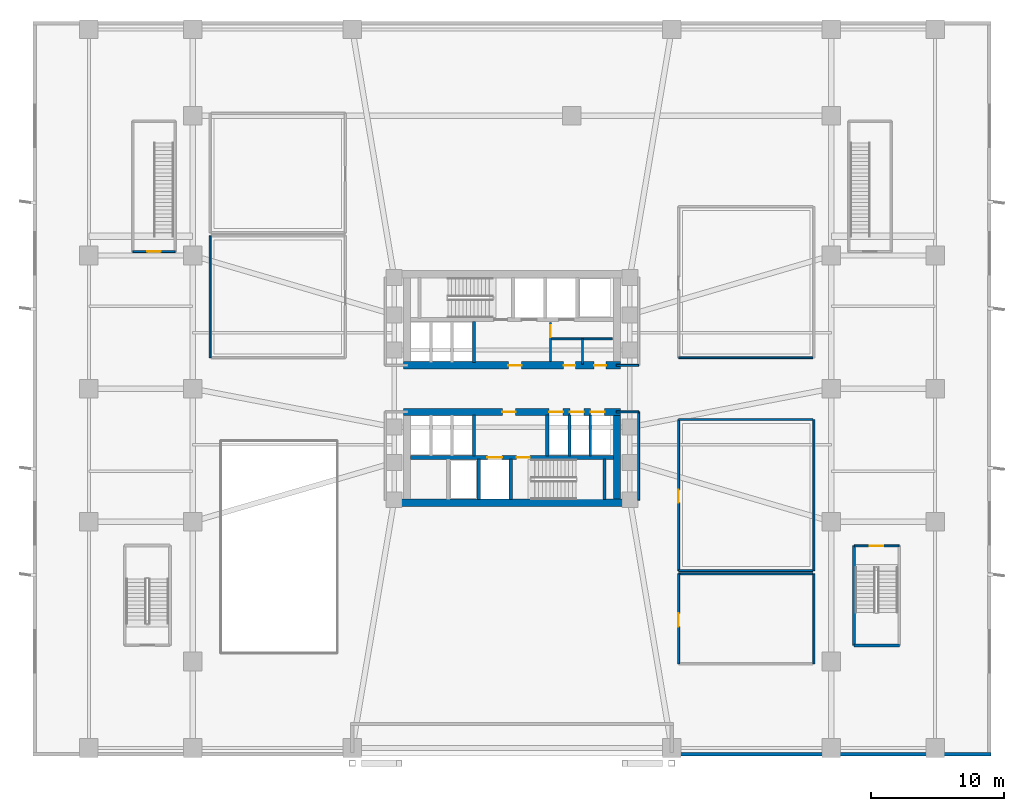
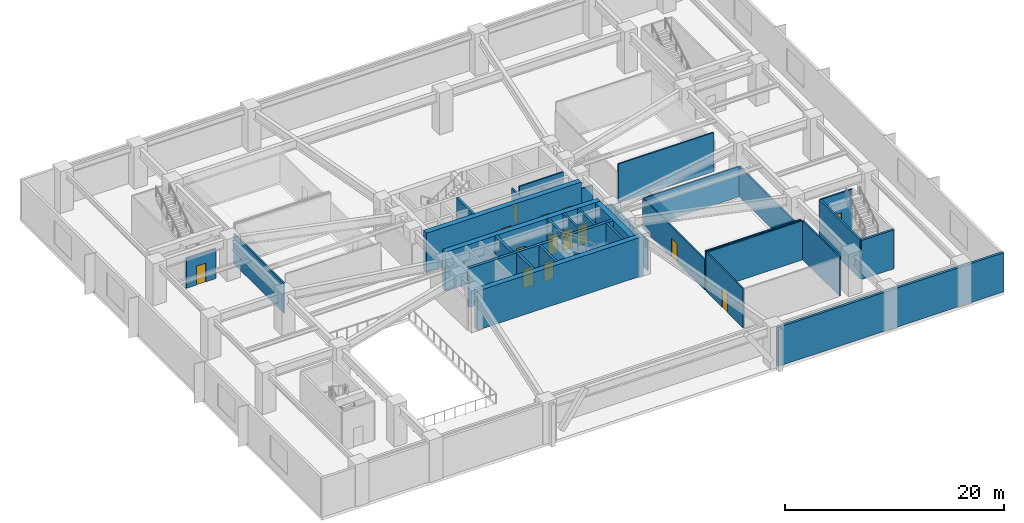
# One storey, part 5 of 12: 33 walls, 14 doors, 14 openings.
"""IFC4 building model written with IfcOpenShell, lengths in metres."""

from ifc_helpers import new_model, si_unit, direction, frame, frame_2d, origin, place, context, subcontext, project, spatial, rectangle, extrude, material, layer, layer_set, type_object, element, fill, save


model = new_model("IFC4")

# Units and contexts
model_context = context("Model", 3, precision=1e-05, world=origin(), true_north=direction((0.0, 1.0)))
body_context = subcontext(model_context, "Body", "Model", "MODEL_VIEW")
ifc_project = project(units=[si_unit("LENGTHUNIT", "METRE"), si_unit("AREAUNIT", "SQUARE_METRE"), si_unit("VOLUMEUNIT", "CUBIC_METRE"), si_unit("PLANEANGLEUNIT", "RADIAN"), si_unit("MASSUNIT", "GRAM", prefix="KILO")], contexts=[model_context])

# Site, building, storey
site_placement = place(None, origin())
site = spatial("IfcSite", under=ifc_project, at=site_placement, CompositionType="ELEMENT")
building_placement = place(site_placement, origin())
building = spatial("IfcBuilding", under=site, at=building_placement, Name="Solmarez Civic Tower", CompositionType="ELEMENT")
storey_placement = place(building_placement, frame((0.0, 0.0, 5.39990234375)))
storey = spatial("IfcBuildingStorey", under=building, at=storey_placement, Name="L01", CompositionType="ELEMENT", Elevation=5.39990234375)

# Wall, openings, doors
ifc_material_1 = material(Name="Concrete C60/75", Category="concrete")
ifc_layer_1 = layer(ifc_material_1, 0.550048828125)
ifc_layer_set_1 = layer_set([ifc_layer_1], Name="Concrete C60/75")
wall_type_1 = type_object("IfcWallType", Name="WALL-CORE-550", PredefinedType="SHEAR", material=ifc_layer_set_1)
wall_1_placement = place(storey_placement, frame((8.169921875, 1.75, 0.0), z_axis=(0.0, 0.0, 1.0), x_axis=(-1.0, 0.0, 0.0)))
wall_1 = element("IfcWall", 1, at=wall_1_placement, inside=storey, type_object=wall_type_1, Name="L01 Split-Core Structural Wall NCW-S-L01", PredefinedType="SHEAR", context=body_context, shape_type="SweptSolid", body=[
    extrude(rectangle(XDim=16.33984375, YDim=0.550048828125, at=frame_2d((8.169921875, 0.0))), origin(), (0.0, 0.0, 1.0), 4.360107421875),
])
opening_1_placement = place(wall_1_placement, frame((7.449951171875, 0.0, 0.0)))
opening_1 = element("IfcOpeningElement", 2, at=opening_1_placement, cuts=wall_1, Name="Opening D-04", PredefinedType="OPENING", context=body_context, shape_type="SweptSolid", body=[
    extrude(rectangle(XDim=1.0, YDim=2.10009765625, at=frame_2d((0.5, 1.050048828125))), frame((0.0, 0.284912109375, 0.0), z_axis=(0.0, -1.0, 0.0), x_axis=(1.0, 0.0, 0.0)), (0.0, 0.0, 1.0), 0.570068359375),
])
opening_2_placement = place(wall_1_placement, frame((3.39990234375, 0.0, 0.0)))
opening_2 = element("IfcOpeningElement", 3, at=opening_2_placement, cuts=wall_1, Name="Opening D-09", PredefinedType="OPENING", context=body_context, shape_type="SweptSolid", body=[
    extrude(rectangle(XDim=0.89990234375, YDim=2.06005859375, at=frame_2d((0.449951171875, 1.030029296875))), frame((0.0, 0.284912109375, 0.0), z_axis=(0.0, -1.0, 0.0), x_axis=(1.0, 0.0, 0.0)), (0.0, 0.0, 1.0), 0.570068359375),
])
opening_3_placement = place(wall_1_placement, frame((1.10009765625, 0.0, 0.0)))
opening_3 = element("IfcOpeningElement", 4, at=opening_3_placement, cuts=wall_1, Name="Opening D-09", PredefinedType="OPENING", context=body_context, shape_type="SweptSolid", body=[
    extrude(rectangle(XDim=0.89990234375, YDim=2.06005859375, at=frame_2d((0.449951171875, 1.030029296875))), frame((0.0, 0.284912109375, 0.0), z_axis=(0.0, -1.0, 0.0), x_axis=(1.0, 0.0, 0.0)), (0.0, 0.0, 1.0), 0.570068359375),
])
ifc_material_2 = material(Name="Steel-Faced Acoustic Fire Door", Category="steel")
door_type_1 = type_object("IfcDoorType", Name="DOOR-FD60-1000", OperationType="NOTDEFINED", PredefinedType="DOOR", material=ifc_material_2)
door_1_placement = place(opening_1_placement, origin())
door_1 = element("IfcDoor", 5, at=door_1_placement, inside=storey, type_object=door_type_1, Name="L01 North Firefighting Lobby Door", OperationType="SINGLE_SWING_RIGHT", OverallHeight=2.10009765625, OverallWidth=1.0, PredefinedType="DOOR", context=body_context, shape_type="SweptSolid", body=[
    extrude(rectangle(XDim=1.0, YDim=2.10009765625, at=frame_2d((0.5, 1.050048828125))), frame((0.0, 0.02490234375, 0.0), z_axis=(0.0, -1.0, 0.0), x_axis=(1.0, 0.0, 0.0)), (0.0, 0.0, 1.0), 0.050048828125),
])
fill(opening_1, door_1)
ifc_material_3 = material(Name="Fire-Rated Service Core Door", Category="wood")
door_type_2 = type_object("IfcDoorType", Name="DOOR-FD60-900", OperationType="NOTDEFINED", PredefinedType="DOOR", material=ifc_material_3)
door_2_placement = place(opening_2_placement, origin())
door_2 = element("IfcDoor", 6, at=door_2_placement, inside=storey, type_object=door_type_2, Name="L01 Core WC Door", OperationType="SINGLE_SWING_LEFT", OverallHeight=2.06005859375, OverallWidth=0.89990234375, PredefinedType="DOOR", context=body_context, shape_type="SweptSolid", body=[
    extrude(rectangle(XDim=0.89990234375, YDim=2.06005859375, at=frame_2d((0.449951171875, 1.030029296875))), frame((0.0, 0.02490234375, 0.0), z_axis=(0.0, -1.0, 0.0), x_axis=(1.0, 0.0, 0.0)), (0.0, 0.0, 1.0), 0.050048828125),
])
fill(opening_2, door_2)
door_3_placement = place(opening_3_placement, origin())
door_3 = element("IfcDoor", 7, at=door_3_placement, inside=storey, type_object=door_type_2, Name="L01 Core CL Door", OperationType="SINGLE_SWING_RIGHT", OverallHeight=2.06005859375, OverallWidth=0.89990234375, PredefinedType="DOOR", context=body_context, shape_type="SweptSolid", body=[
    extrude(rectangle(XDim=0.89990234375, YDim=2.06005859375, at=frame_2d((0.449951171875, 1.030029296875))), frame((0.0, 0.02490234375, 0.0), z_axis=(0.0, -1.0, 0.0), x_axis=(1.0, 0.0, 0.0)), (0.0, 0.0, 1.0), 0.050048828125),
])
fill(opening_3, door_3)

# Wall
wall_2_placement = place(storey_placement, frame((8.780029296875, -8.5849609375, 0.0), z_axis=(0.0, 0.0, 1.0), x_axis=(-1.0, 0.0, 0.0)))
element("IfcWall", 8, at=wall_2_placement, inside=storey, type_object=wall_type_1, Name="L01 Split-Core Structural Wall SCW-S-L01", PredefinedType="SHEAR", context=body_context, shape_type="SweptSolid", body=[
    extrude(rectangle(XDim=17.56005859375, YDim=0.550048828125, at=frame_2d((8.780029296875, 0.0))), origin(), (0.0, 0.0, 1.0), 4.360107421875),
])

# Wall, openings, doors
wall_3_placement = place(storey_placement, frame((-8.169921875, -1.75, 0.0), z_axis=(0.0, 0.0, 1.0), x_axis=(1.0, 0.0, 0.0)))
wall_3 = element("IfcWall", 9, at=wall_3_placement, inside=storey, type_object=wall_type_1, Name="L01 Split-Core Structural Wall SCW-N-L01", PredefinedType="SHEAR", context=body_context, shape_type="SweptSolid", body=[
    extrude(rectangle(XDim=16.33984375, YDim=0.550048828125, at=frame_2d((8.169921875, 0.0))), origin(), (0.0, 0.0, 1.0), 4.360107421875),
])
opening_4_placement = place(wall_3_placement, frame((7.449951171875, 0.0, 0.0)))
opening_4 = element("IfcOpeningElement", 10, at=opening_4_placement, cuts=wall_3, Name="Opening D-04", PredefinedType="OPENING", context=body_context, shape_type="SweptSolid", body=[
    extrude(rectangle(XDim=1.0, YDim=2.10009765625, at=frame_2d((0.5, 1.050048828125))), frame((0.0, 0.284912109375, 0.0), z_axis=(0.0, -1.0, 0.0), x_axis=(1.0, 0.0, 0.0)), (0.0, 0.0, 1.0), 0.570068359375),
])
opening_5_placement = place(wall_3_placement, frame((10.965087890625, 0.0, 0.0)))
opening_5 = element("IfcOpeningElement", 11, at=opening_5_placement, cuts=wall_3, Name="Opening LD-01", PredefinedType="OPENING", context=body_context, shape_type="SweptSolid", body=[
    extrude(rectangle(XDim=1.050048828125, YDim=2.14990234375, at=frame_2d((0.52490234375, 1.074951171875))), frame((0.0, 0.284912109375, 0.0), z_axis=(0.0, -1.0, 0.0), x_axis=(1.0, 0.0, 0.0)), (0.0, 0.0, 1.0), 0.570068359375),
])
opening_6_placement = place(wall_3_placement, frame((12.52490234375, 0.0, 0.0)))
opening_6 = element("IfcOpeningElement", 12, at=opening_6_placement, cuts=wall_3, Name="Opening LD-01", PredefinedType="OPENING", context=body_context, shape_type="SweptSolid", body=[
    extrude(rectangle(XDim=1.050048828125, YDim=2.14990234375, at=frame_2d((0.52490234375, 1.074951171875))), frame((0.0, 0.284912109375, 0.0), z_axis=(0.0, -1.0, 0.0), x_axis=(1.0, 0.0, 0.0)), (0.0, 0.0, 1.0), 0.570068359375),
])
opening_7_placement = place(wall_3_placement, frame((14.0849609375, 0.0, 0.0)))
opening_7 = element("IfcOpeningElement", 13, at=opening_7_placement, cuts=wall_3, Name="Opening LD-01", PredefinedType="OPENING", context=body_context, shape_type="SweptSolid", body=[
    extrude(rectangle(XDim=1.050048828125, YDim=2.14990234375, at=frame_2d((0.52490234375, 1.074951171875))), frame((0.0, 0.284912109375, 0.0), z_axis=(0.0, -1.0, 0.0), x_axis=(1.0, 0.0, 0.0)), (0.0, 0.0, 1.0), 0.570068359375),
])
door_4_placement = place(opening_4_placement, origin())
door_4 = element("IfcDoor", 14, at=door_4_placement, inside=storey, type_object=door_type_1, Name="L01 South Firefighting Lobby Door", OperationType="SINGLE_SWING_LEFT", OverallHeight=2.10009765625, OverallWidth=1.0, PredefinedType="DOOR", context=body_context, shape_type="SweptSolid", body=[
    extrude(rectangle(XDim=1.0, YDim=2.10009765625, at=frame_2d((0.5, 1.050048828125))), frame((0.0, 0.02490234375, 0.0), z_axis=(0.0, -1.0, 0.0), x_axis=(1.0, 0.0, 0.0)), (0.0, 0.0, 1.0), 0.050048828125),
])
fill(opening_4, door_4)
ifc_material_4 = material(Name="Bronze Passenger Lift Landing Sliding Door", Category="aluminium")
door_type_3 = type_object("IfcDoorType", Name="DOOR-LD-PAX-1050", OperationType="DOUBLE_DOOR_SLIDING", PredefinedType="DOOR", material=ifc_material_4)
door_5_placement = place(opening_5_placement, origin())
door_5 = element("IfcDoor", 15, at=door_5_placement, inside=storey, type_object=door_type_3, Name="L01 Low-Rise Lift Landing Door PL-L1", OperationType="DOUBLE_DOOR_SLIDING", OverallHeight=2.14990234375, OverallWidth=1.050048828125, PredefinedType="DOOR", context=body_context, shape_type="SweptSolid", body=[
    extrude(rectangle(XDim=1.050048828125, YDim=2.14990234375, at=frame_2d((0.52490234375, 1.074951171875))), frame((0.0, 0.02490234375, 0.0), z_axis=(0.0, -1.0, 0.0), x_axis=(1.0, 0.0, 0.0)), (0.0, 0.0, 1.0), 0.050048828125),
])
fill(opening_5, door_5)
door_6_placement = place(opening_6_placement, origin())
door_6 = element("IfcDoor", 16, at=door_6_placement, inside=storey, type_object=door_type_3, Name="L01 Low-Rise Lift Landing Door PL-L2", OperationType="DOUBLE_DOOR_SLIDING", OverallHeight=2.14990234375, OverallWidth=1.050048828125, PredefinedType="DOOR", context=body_context, shape_type="SweptSolid", body=[
    extrude(rectangle(XDim=1.050048828125, YDim=2.14990234375, at=frame_2d((0.52490234375, 1.074951171875))), frame((0.0, 0.02490234375, 0.0), z_axis=(0.0, -1.0, 0.0), x_axis=(1.0, 0.0, 0.0)), (0.0, 0.0, 1.0), 0.050048828125),
])
fill(opening_6, door_6)
door_7_placement = place(opening_7_placement, origin())
door_7 = element("IfcDoor", 17, at=door_7_placement, inside=storey, type_object=door_type_3, Name="L01 Low-Rise Lift Landing Door PL-L3", OperationType="DOUBLE_DOOR_SLIDING", OverallHeight=2.14990234375, OverallWidth=1.050048828125, PredefinedType="DOOR", context=body_context, shape_type="SweptSolid", body=[
    extrude(rectangle(XDim=1.050048828125, YDim=2.14990234375, at=frame_2d((0.52490234375, 1.074951171875))), frame((0.0, 0.02490234375, 0.0), z_axis=(0.0, -1.0, 0.0), x_axis=(1.0, 0.0, 0.0)), (0.0, 0.0, 1.0), 0.050048828125),
])
fill(opening_7, door_7)

# Walls
wall_4_placement = place(storey_placement, frame((7.89501953125, -2.02490234375, 0.0), z_axis=(0.0, 0.0, 1.0), x_axis=(0.0, -1.0, 0.0)))
element("IfcWall", 18, at=wall_4_placement, inside=storey, type_object=wall_type_1, Name="L01 Split-Core Structural Wall SCW-E-L01", PredefinedType="SHEAR", context=body_context, shape_type="SweptSolid", body=[
    extrude(rectangle(XDim=6.28515625, YDim=0.550048828125, at=frame_2d((3.142578125, 0.0))), origin(), (0.0, 0.0, 1.0), 4.360107421875),
])
ifc_material_5 = material(Name="Precast concrete C40/50", Category="concrete")
ifc_layer_2 = layer(ifc_material_5, 0.260009765625)
ifc_layer_set_2 = layer_set([ifc_layer_2], Name="Precast concrete C40/50")
wall_type_2 = type_object("IfcWallType", Name="WALL-EXT-260", PredefinedType="SOLIDWALL", material=ifc_layer_set_2)
wall_5_placement = place(storey_placement, frame((36.0, -27.469970703125, 0.0), z_axis=(0.0, 0.0, 1.0), x_axis=(-1.0, 0.0, 0.0)))
element("IfcWall", 19, at=wall_5_placement, inside=storey, type_object=wall_type_2, Name="L01 South Arch Podium Wall EW-SE-L01", PredefinedType="SOLIDWALL", context=body_context, shape_type="SweptSolid", body=[
    extrude(rectangle(XDim=23.8701171875, YDim=0.260009765625, at=frame_2d((11.93505859375, 0.0))), origin(), (0.0, 0.0, 1.0), 4.360107421875),
])

# Wall, opening, door
ifc_material_6 = material(Name="Gypsum Board Acoustic Steel-Stud Partition", Category="steel")
ifc_layer_3 = layer(ifc_material_6, 0.14990234375)
ifc_layer_set_3 = layer_set([ifc_layer_3], Name="Gypsum Board Acoustic Steel-Stud Partition")
wall_type_3 = type_object("IfcWallType", Name="WALL-INT-FIRE-150", PredefinedType="PARTITIONING", material=ifc_layer_set_3)
wall_6_placement = place(storey_placement, frame((29.080078125, -11.820068359375, 0.0), z_axis=(0.0, 0.0, 1.0), x_axis=(-1.0, 0.0, 0.0)))
wall_6 = element("IfcWall", 20, at=wall_6_placement, inside=storey, type_object=wall_type_3, Name="L01 Podium Exit Stair STP2 Wall", PredefinedType="PARTITIONING", context=body_context, shape_type="SweptSolid", body=[
    extrude(rectangle(XDim=3.360107421875, YDim=0.14990234375, at=frame_2d((1.68017578125, 0.0))), origin(), (0.0, 0.0, 1.0), 4.360107421875),
])
opening_8_placement = place(wall_6_placement, frame((1.179931640625, 0.0, 0.0)))
opening_8 = element("IfcOpeningElement", 21, at=opening_8_placement, cuts=wall_6, Name="Opening D-05", PredefinedType="OPENING", context=body_context, shape_type="SweptSolid", body=[
    extrude(rectangle(XDim=1.0, YDim=2.10009765625, at=frame_2d((0.5, 1.050048828125))), frame((0.0, 0.0849609375, 0.0), z_axis=(0.0, -1.0, 0.0), x_axis=(1.0, 0.0, 0.0)), (0.0, 0.0, 1.0), 0.169921875),
])
ifc_material_7 = material(Name="Fire-Rated Stairwell Exit Door", Category="wood")
door_type_4 = type_object("IfcDoorType", Name="DOOR-FD90-1000", OperationType="NOTDEFINED", PredefinedType="DOOR", material=ifc_material_7)
door_8_placement = place(opening_8_placement, origin())
door_8 = element("IfcDoor", 22, at=door_8_placement, inside=storey, type_object=door_type_4, Name="L01 Podium Exit Stair STP2 Door", OperationType="SINGLE_SWING_LEFT", OverallHeight=2.10009765625, OverallWidth=1.0, PredefinedType="DOOR", context=body_context, shape_type="SweptSolid", body=[
    extrude(rectangle(XDim=1.0, YDim=2.10009765625, at=frame_2d((0.5, 1.050048828125))), frame((0.0, 0.02490234375, 0.0), z_axis=(0.0, -1.0, 0.0), x_axis=(1.0, 0.0, 0.0)), (0.0, 0.0, 1.0), 0.050048828125),
])
fill(opening_8, door_8)

wall_7_placement = place(storey_placement, frame((-28.47998046875, 10.300048828125, 0.0), z_axis=(0.0, 0.0, 1.0), x_axis=(1.0, 0.0, 0.0)))
wall_7 = element("IfcWall", 23, at=wall_7_placement, inside=storey, type_object=wall_type_3, Name="L01 Podium Stair P3 Shaft Wall", PredefinedType="PARTITIONING", context=body_context, shape_type="SweptSolid", body=[
    extrude(rectangle(XDim=3.159912109375, YDim=0.14990234375, at=frame_2d((1.580078125, 0.0))), origin(), (0.0, 0.0, 1.0), 3.3701171875),
])
opening_9_placement = place(wall_7_placement, frame((1.080078125, 0.0, 0.0)))
opening_9 = element("IfcOpeningElement", 24, at=opening_9_placement, cuts=wall_7, Name="Opening D-05", PredefinedType="OPENING", context=body_context, shape_type="SweptSolid", body=[
    extrude(rectangle(XDim=1.0, YDim=2.10009765625, at=frame_2d((0.5, 1.050048828125))), frame((0.0, 0.0849609375, 0.0), z_axis=(0.0, -1.0, 0.0), x_axis=(1.0, 0.0, 0.0)), (0.0, 0.0, 1.0), 0.169921875),
])
door_9_placement = place(opening_9_placement, origin())
door_9 = element("IfcDoor", 25, at=door_9_placement, inside=storey, type_object=door_type_4, Name="L01 Podium Stair P3 Entry Door", OperationType="SINGLE_SWING_RIGHT", OverallHeight=2.10009765625, OverallWidth=1.0, PredefinedType="DOOR", context=body_context, shape_type="SweptSolid", body=[
    extrude(rectangle(XDim=1.0, YDim=2.10009765625, at=frame_2d((0.5, 1.050048828125))), frame((0.0, 0.02490234375, 0.0), z_axis=(0.0, -1.0, 0.0), x_axis=(1.0, 0.0, 0.0)), (0.0, 0.0, 1.0), 0.050048828125),
])
fill(opening_9, door_9)

# Walls
wall_8_placement = place(storey_placement, frame((7.85009765625, 1.75, 0.0), z_axis=(0.0, 0.0, 1.0), x_axis=(1.0, 0.0, 0.0)))
element("IfcWall", 26, at=wall_8_placement, inside=storey, type_object=wall_type_3, Name="L01 Interior Partition CHW-L01-EN3", PredefinedType="PARTITIONING", context=body_context, shape_type="SweptSolid", body=[
    extrude(rectangle(XDim=1.669921875, YDim=0.14990234375, at=frame_2d((0.8349609375, 0.0))), origin(), (0.0, 0.0, 1.0), 3.425048828125),
])
wall_9_placement = place(storey_placement, frame((9.52001953125, -8.3798828125, 0.0), z_axis=(0.0, 0.0, 1.0), x_axis=(0.0, 1.0, 0.0)))
element("IfcWall", 27, at=wall_9_placement, inside=storey, type_object=wall_type_3, Name="L01 Interior Partition CHW-L01-ES1", PredefinedType="PARTITIONING", context=body_context, shape_type="SweptSolid", body=[
    extrude(rectangle(XDim=6.6298828125, YDim=0.14990234375, at=frame_2d((3.31494140625, 0.0))), origin(), (0.0, 0.0, 1.0), 3.3701171875),
])
wall_10_placement = place(storey_placement, frame((7.85009765625, -1.75, 0.0), z_axis=(0.0, 0.0, 1.0), x_axis=(1.0, 0.0, 0.0)))
element("IfcWall", 28, at=wall_10_placement, inside=storey, type_object=wall_type_3, Name="L01 Interior Partition CHW-L01-ES3", PredefinedType="PARTITIONING", context=body_context, shape_type="SweptSolid", body=[
    extrude(rectangle(XDim=1.669921875, YDim=0.14990234375, at=frame_2d((0.8349609375, 0.0))), origin(), (0.0, 0.0, 1.0), 3.425048828125),
])
wall_11_placement = place(storey_placement, frame((-22.679931640625, 2.320068359375, 0.0), z_axis=(0.0, 0.0, 1.0), x_axis=(0.0, 1.0, 0.0)))
element("IfcWall", 29, at=wall_11_placement, inside=storey, type_object=wall_type_3, Name="L01 Interior Partition PT-L0X-L01-NW1-B", PredefinedType="PARTITIONING", context=body_context, shape_type="SweptSolid", body=[
    extrude(rectangle(XDim=9.159912109375, YDim=0.14990234375, at=frame_2d((4.580078125, 0.0))), origin(), (0.0, 0.0, 1.0), 3.3701171875),
])
wall_12_placement = place(storey_placement, frame((22.679931640625, -13.679931640625, 0.0), z_axis=(0.0, 0.0, 1.0), x_axis=(0.0, 1.0, 0.0)))
element("IfcWall", 30, at=wall_12_placement, inside=storey, type_object=wall_type_3, Name="L01 Interior Partition PT-L0X-L01-SE1-B", PredefinedType="PARTITIONING", context=body_context, shape_type="SweptSolid", body=[
    extrude(rectangle(XDim=11.35986328125, YDim=0.14990234375, at=frame_2d((5.679931640625, 0.0))), origin(), (0.0, 0.0, 1.0), 3.3701171875),
])
wall_13_placement = place(storey_placement, frame((22.679931640625, -20.679931640625, 0.0), z_axis=(0.0, 0.0, 1.0), x_axis=(0.0, 1.0, 0.0)))
element("IfcWall", 31, at=wall_13_placement, inside=storey, type_object=wall_type_3, Name="L01 Interior Partition PT-L0X-L01-WC1-B", PredefinedType="PARTITIONING", context=body_context, shape_type="SweptSolid", body=[
    extrude(rectangle(XDim=6.760009765625, YDim=0.14990234375, at=frame_2d((3.3798828125, 0.0))), origin(), (0.0, 0.0, 1.0), 4.360107421875),
])
ifc_layer_4 = layer(ifc_material_6, 0.14501953125)
ifc_layer_set_4 = layer_set([ifc_layer_4], Name="Gypsum Board Acoustic Steel-Stud Partition")
wall_type_4 = type_object("IfcWallType", Name="WALL-INT-PART-150", PredefinedType="PARTITIONING", material=ifc_layer_set_4)
wall_14_placement = place(storey_placement, frame((12.52001953125, 2.320068359375, 0.0), z_axis=(0.0, 0.0, 1.0), x_axis=(1.0, 0.0, 0.0)))
element("IfcWall", 32, at=wall_14_placement, inside=storey, type_object=wall_type_4, Name="L01 Interior Partition PT-L0X-L01-NE1-S", PredefinedType="PARTITIONING", context=body_context, shape_type="SweptSolid", body=[
    extrude(rectangle(XDim=10.080078125, YDim=0.14501953125, at=frame_2d((5.0400390625, 0.0))), origin(), (0.0, 0.0, 1.0), 4.360107421875),
])

# Wall, opening, door
wall_15_placement = place(storey_placement, frame((12.52001953125, -13.679931640625, 0.0), z_axis=(0.0, 0.0, 1.0), x_axis=(0.0, 1.0, 0.0)))
wall_15 = element("IfcWall", 33, at=wall_15_placement, inside=storey, type_object=wall_type_4, Name="L01 Interior Partition PT-L0X-L01-SE1-F", PredefinedType="PARTITIONING", context=body_context, shape_type="SweptSolid", body=[
    extrude(rectangle(XDim=11.35986328125, YDim=0.14501953125, at=frame_2d((5.679931640625, 0.0))), origin(), (0.0, 0.0, 1.0), 3.3701171875),
])
opening_10_placement = place(wall_15_placement, frame((5.10009765625, 0.0, 0.0)))
opening_10 = element("IfcOpeningElement", 34, at=opening_10_placement, cuts=wall_15, Name="Opening D-04", PredefinedType="OPENING", context=body_context, shape_type="SweptSolid", body=[
    extrude(rectangle(XDim=1.0, YDim=2.10009765625, at=frame_2d((0.5, 1.050048828125))), frame((0.0, 0.08251953125, 0.0), z_axis=(0.0, -1.0, 0.0), x_axis=(1.0, 0.0, 0.0)), (0.0, 0.0, 1.0), 0.1650390625),
])
door_10_placement = place(opening_10_placement, origin())
door_10 = element("IfcDoor", 35, at=door_10_placement, inside=storey, type_object=door_type_1, Name="L01 Licensing Conference Room Door", OperationType="SINGLE_SWING_LEFT", OverallHeight=2.10009765625, OverallWidth=1.0, PredefinedType="DOOR", context=body_context, shape_type="SweptSolid", body=[
    extrude(rectangle(XDim=1.0, YDim=2.10009765625, at=frame_2d((0.5, 1.050048828125))), frame((0.0, 0.02490234375, 0.0), z_axis=(0.0, -1.0, 0.0), x_axis=(1.0, 0.0, 0.0)), (0.0, 0.0, 1.0), 0.050048828125),
])
fill(opening_10, door_10)

# Walls
wall_16_placement = place(storey_placement, frame((12.52001953125, -13.679931640625, 0.0), z_axis=(0.0, 0.0, 1.0), x_axis=(1.0, 0.0, 0.0)))
element("IfcWall", 36, at=wall_16_placement, inside=storey, type_object=wall_type_4, Name="L01 Interior Partition PT-L0X-L01-SE1-S", PredefinedType="PARTITIONING", context=body_context, shape_type="SweptSolid", body=[
    extrude(rectangle(XDim=10.080078125, YDim=0.14501953125, at=frame_2d((5.0400390625, 0.0))), origin(), (0.0, 0.0, 1.0), 4.360107421875),
])
wall_17_placement = place(storey_placement, frame((12.52001953125, -2.320068359375, 0.0), z_axis=(0.0, 0.0, 1.0), x_axis=(1.0, 0.0, 0.0)))
element("IfcWall", 37, at=wall_17_placement, inside=storey, type_object=wall_type_4, Name="L01 Interior Partition PT-L0X-L01-SE1-N", PredefinedType="PARTITIONING", context=body_context, shape_type="SweptSolid", body=[
    extrude(rectangle(XDim=10.080078125, YDim=0.14501953125, at=frame_2d((5.0400390625, 0.0))), origin(), (0.0, 0.0, 1.0), 3.3701171875),
])

# Wall, opening, door
wall_18_placement = place(storey_placement, frame((12.52001953125, -20.679931640625, 0.0), z_axis=(0.0, 0.0, 1.0), x_axis=(0.0, 1.0, 0.0)))
wall_18 = element("IfcWall", 38, at=wall_18_placement, inside=storey, type_object=wall_type_4, Name="L01 Interior Partition PT-L0X-L01-WC1-F", PredefinedType="PARTITIONING", context=body_context, shape_type="SweptSolid", body=[
    extrude(rectangle(XDim=6.760009765625, YDim=0.14501953125, at=frame_2d((3.3798828125, 0.0))), origin(), (0.0, 0.0, 1.0), 4.360107421875),
])
opening_11_placement = place(wall_18_placement, frame((2.800048828125, 0.0, 0.0)))
opening_11 = element("IfcOpeningElement", 39, at=opening_11_placement, cuts=wall_18, Name="Opening D-04", PredefinedType="OPENING", context=body_context, shape_type="SweptSolid", body=[
    extrude(rectangle(XDim=1.0, YDim=2.10009765625, at=frame_2d((0.5, 1.050048828125))), frame((0.0, 0.08251953125, 0.0), z_axis=(0.0, -1.0, 0.0), x_axis=(1.0, 0.0, 0.0)), (0.0, 0.0, 1.0), 0.1650390625),
])
door_11_placement = place(opening_11_placement, origin())
door_11 = element("IfcDoor", 40, at=door_11_placement, inside=storey, type_object=door_type_1, Name="L01 Public Accessible Restrooms Door", OperationType="SINGLE_SWING_LEFT", OverallHeight=2.10009765625, OverallWidth=1.0, PredefinedType="DOOR", context=body_context, shape_type="SweptSolid", body=[
    extrude(rectangle(XDim=1.0, YDim=2.10009765625, at=frame_2d((0.5, 1.050048828125))), frame((0.0, 0.02490234375, 0.0), z_axis=(0.0, -1.0, 0.0), x_axis=(1.0, 0.0, 0.0)), (0.0, 0.0, 1.0), 0.050048828125),
])
fill(opening_11, door_11)

# Wall
wall_19_placement = place(storey_placement, frame((12.52001953125, -13.919921875, 0.0), z_axis=(0.0, 0.0, 1.0), x_axis=(1.0, 0.0, 0.0)))
element("IfcWall", 41, at=wall_19_placement, inside=storey, type_object=wall_type_4, Name="L01 Interior Partition PT-L0X-L01-WC1-N", PredefinedType="PARTITIONING", context=body_context, shape_type="SweptSolid", body=[
    extrude(rectangle(XDim=10.080078125, YDim=0.14501953125, at=frame_2d((5.0400390625, 0.0))), origin(), (0.0, 0.0, 1.0), 4.360107421875),
])

# Wall, opening, door
ifc_layer_5 = layer(ifc_material_6, 0.159912109375)
ifc_layer_set_5 = layer_set([ifc_layer_5], Name="Gypsum Board Acoustic Steel-Stud Partition")
wall_type_5 = type_object("IfcWallType", Name="WALL-INT-SHAFT-160", PredefinedType="PARTITIONING", material=ifc_layer_set_5)
wall_20_placement = place(storey_placement, frame((2.89990234375, 2.0400390625, 0.0), z_axis=(0.0, 0.0, 1.0), x_axis=(0.0, 1.0, 0.0)))
wall_20 = element("IfcWall", 42, at=wall_20_placement, inside=storey, type_object=wall_type_5, Name="L01 Interior Partition SHW-NL2-L01", PredefinedType="PARTITIONING", context=body_context, shape_type="SweptSolid", body=[
    extrude(rectangle(XDim=2.93994140625, YDim=0.159912109375, at=frame_2d((1.469970703125, 0.0))), origin(), (0.0, 0.0, 1.0), 3.425048828125),
])
opening_12_placement = place(wall_20_placement, frame((1.820068359375, 0.0, 0.0)))
opening_12 = element("IfcOpeningElement", 43, at=opening_12_placement, cuts=wall_20, Name="Opening D-09", PredefinedType="OPENING", context=body_context, shape_type="SweptSolid", body=[
    extrude(rectangle(XDim=0.89990234375, YDim=2.06005859375, at=frame_2d((0.449951171875, 1.030029296875))), frame((0.0, 0.08984375, 0.0), z_axis=(0.0, -1.0, 0.0), x_axis=(1.0, 0.0, 0.0)), (0.0, 0.0, 1.0), 0.179931640625),
])
door_12_placement = place(opening_12_placement, origin())
door_12 = element("IfcDoor", 44, at=door_12_placement, inside=storey, type_object=door_type_2, Name="L01 Service Lift Lobby Door", OperationType="SINGLE_SWING_LEFT", OverallHeight=2.06005859375, OverallWidth=0.89990234375, PredefinedType="DOOR", context=body_context, shape_type="SweptSolid", body=[
    extrude(rectangle(XDim=0.89990234375, YDim=2.06005859375, at=frame_2d((0.449951171875, 1.030029296875))), frame((0.0, 0.02490234375, 0.0), z_axis=(0.0, -1.0, 0.0), x_axis=(1.0, 0.0, 0.0)), (0.0, 0.0, 1.0), 0.050048828125),
])
fill(opening_12, door_12)

# Walls
ifc_layer_6 = layer(ifc_material_6, 0.137939453125)
ifc_layer_set_6 = layer_set([ifc_layer_6], Name="Gypsum Board Acoustic Steel-Stud Partition")
wall_type_6 = type_object("IfcWallType", Name="WALL-INT-WET-140", PredefinedType="PARTITIONING", material=ifc_layer_set_6)
wall_21_placement = place(storey_placement, frame((2.89990234375, 3.739990234375, 0.0), z_axis=(0.0, 0.0, 1.0), x_axis=(1.0, 0.0, 0.0)))
element("IfcWall", 45, at=wall_21_placement, inside=storey, type_object=wall_type_6, Name="L01 Interior Partition SHW-SVH-L01", PredefinedType="PARTITIONING", context=body_context, shape_type="SweptSolid", body=[
    extrude(rectangle(XDim=4.650146484375, YDim=0.137939453125, at=frame_2d((2.3251953125, 0.0))), origin(), (0.0, 0.0, 1.0), 4.360107421875),
])
wall_22_placement = place(storey_placement, frame((5.300048828125, 1.85009765625, 0.0), z_axis=(0.0, 0.0, 1.0), x_axis=(0.0, 1.0, 0.0)))
element("IfcWall", 46, at=wall_22_placement, inside=storey, type_object=wall_type_6, Name="L01 Interior Partition PT-NCSV-L01", PredefinedType="PARTITIONING", context=body_context, shape_type="SweptSolid", body=[
    extrude(rectangle(XDim=1.889892578125, YDim=0.137939453125, at=frame_2d((0.94482421875, 0.0))), origin(), (0.0, 0.0, 1.0), 3.425048828125),
])

# Wall, openings, doors
ifc_material_8 = material(Name="Concrete C50/60", Category="concrete")
ifc_layer_7 = layer(ifc_material_8, 0.300048828125)
ifc_layer_set_7 = layer_set([ifc_layer_7], Name="Concrete C50/60")
wall_type_7 = type_object("IfcWallType", Name="WALL-STR-300", PredefinedType="SOLIDWALL", material=ifc_layer_set_7)
wall_23_placement = place(storey_placement, frame((-7.6201171875, -5.179931640625, 0.0), z_axis=(0.0, 0.0, 1.0), x_axis=(1.0, 0.0, 0.0)))
wall_23 = element("IfcWall", 47, at=wall_23_placement, inside=storey, type_object=wall_type_7, Name="L01 Split-Core Structural Wall SCW-M-L01", PredefinedType="SOLIDWALL", context=body_context, shape_type="SweptSolid", body=[
    extrude(rectangle(XDim=15.240234375, YDim=0.300048828125, at=frame_2d((7.6201171875, 0.0))), origin(), (0.0, 0.0, 1.0), 4.360107421875),
])
opening_13_placement = place(wall_23_placement, frame((5.77001953125, 0.0, 0.0)))
opening_13 = element("IfcOpeningElement", 48, at=opening_13_placement, cuts=wall_23, Name="Opening LD-02", PredefinedType="OPENING", context=body_context, shape_type="SweptSolid", body=[
    extrude(rectangle(XDim=1.10009765625, YDim=2.14990234375, at=frame_2d((0.550048828125, 1.074951171875))), frame((0.0, 0.159912109375, 0.0), z_axis=(0.0, -1.0, 0.0), x_axis=(1.0, 0.0, 0.0)), (0.0, 0.0, 1.0), 0.320068359375),
])
opening_14_placement = place(wall_23_placement, frame((7.969970703125, 0.0, 0.0)))
opening_14 = element("IfcOpeningElement", 49, at=opening_14_placement, cuts=wall_23, Name="Opening D-05", PredefinedType="OPENING", context=body_context, shape_type="SweptSolid", body=[
    extrude(rectangle(XDim=1.0, YDim=2.10009765625, at=frame_2d((0.5, 1.050048828125))), frame((0.0, 0.159912109375, 0.0), z_axis=(0.0, -1.0, 0.0), x_axis=(1.0, 0.0, 0.0)), (0.0, 0.0, 1.0), 0.320068359375),
])
door_13_placement = place(opening_14_placement, origin())
door_13 = element("IfcDoor", 50, at=door_13_placement, inside=storey, type_object=door_type_4, Name="L01 South Exit Stair Door ST-2", OperationType="SINGLE_SWING_LEFT", OverallHeight=2.10009765625, OverallWidth=1.0, PredefinedType="DOOR", context=body_context, shape_type="SweptSolid", body=[
    extrude(rectangle(XDim=1.0, YDim=2.10009765625, at=frame_2d((0.5, 1.050048828125))), frame((0.0, 0.02490234375, 0.0), z_axis=(0.0, -1.0, 0.0), x_axis=(1.0, 0.0, 0.0)), (0.0, 0.0, 1.0), 0.050048828125),
])
fill(opening_14, door_13)
ifc_material_9 = material(Name="Stainless Firefighting Lift Landing Sliding Door", Category="aluminium")
door_type_5 = type_object("IfcDoorType", Name="DOOR-LD-FF-1100", OperationType="DOUBLE_DOOR_SLIDING", PredefinedType="DOOR", material=ifc_material_9)
door_14_placement = place(opening_13_placement, origin())
door_14 = element("IfcDoor", 51, at=door_14_placement, inside=storey, type_object=door_type_5, Name="L01 Firefighting Lift Landing Door FFL-2", OperationType="DOUBLE_DOOR_SLIDING", OverallHeight=2.14990234375, OverallWidth=1.10009765625, PredefinedType="DOOR", context=body_context, shape_type="SweptSolid", body=[
    extrude(rectangle(XDim=1.10009765625, YDim=2.14990234375, at=frame_2d((0.550048828125, 1.074951171875))), frame((0.0, 0.02490234375, 0.0), z_axis=(0.0, -1.0, 0.0), x_axis=(1.0, 0.0, 0.0)), (0.0, 0.0, 1.0), 0.050048828125),
])
fill(opening_13, door_14)

# Walls
wall_24_placement = place(storey_placement, frame((6.949951171875, -8.340087890625, 0.0), z_axis=(0.0, 0.0, 1.0), x_axis=(0.0, 1.0, 0.0)))
element("IfcWall", 52, at=wall_24_placement, inside=storey, type_object=wall_type_7, Name="L01 Split-Core Structural Wall SHW-SE-L01", PredefinedType="SOLIDWALL", context=body_context, shape_type="SweptSolid", body=[
    extrude(rectangle(XDim=3.06005859375, YDim=0.219970703125, at=frame_2d((1.530029296875, 0.0))), origin(), (0.0, 0.0, 1.0), 4.360107421875),
])
wall_25_placement = place(storey_placement, frame((-2.85009765625, 1.97998046875, 0.0), z_axis=(0.0, 0.0, 1.0), x_axis=(0.0, 1.0, 0.0)))
element("IfcWall", 53, at=wall_25_placement, inside=storey, type_object=wall_type_7, Name="L01 Split-Core Structural Wall SHW-NL1-L01", PredefinedType="SOLIDWALL", context=body_context, shape_type="SweptSolid", body=[
    extrude(rectangle(XDim=3.070068359375, YDim=0.25, at=frame_2d((1.53515625, 0.0))), origin(), (0.0, 0.0, 1.0), 4.360107421875),
])
for number, where, z_axis, x_axis, name in (
    (54, (-0.10009765625, -8.340087890625, 0.0), (0.0, 0.0, 1.0), (0.0, 1.0, 0.0), "L01 Split-Core Structural Wall SHW-S1-L01"),
    (55, (-2.5, -8.340087890625, 0.0), (0.0, 0.0, 1.0), (0.0, 1.0, 0.0), "L01 Split-Core Structural Wall SHW-S2-L01"),
):
    element("IfcWall", number, at=place(storey_placement, frame(where, z_axis=z_axis, x_axis=x_axis)), inside=storey, type_object=wall_type_7, Name=name, PredefinedType="SOLIDWALL", context=body_context, shape_type="SweptSolid", body=[
        extrude(rectangle(XDim=3.0400390625, YDim=0.25, at=frame_2d((1.52001953125, 0.0))), origin(), (0.0, 0.0, 1.0), 4.360107421875),
    ])
for number, where, z_axis, x_axis, name in (
    (56, (-2.85009765625, -5.050048828125, 0.0), (0.0, 0.0, 1.0), (0.0, 1.0, 0.0), "L01 Split-Core Structural Wall SHW-SL1-L01"),
    (57, (2.64990234375, -5.050048828125, 0.0), (0.0, 0.0, 1.0), (0.0, 1.0, 0.0), "L01 Split-Core Structural Wall SHW-SL2-L01"),
):
    element("IfcWall", number, at=place(storey_placement, frame(where, z_axis=z_axis, x_axis=x_axis)), inside=storey, type_object=wall_type_7, Name=name, PredefinedType="SOLIDWALL", context=body_context, shape_type="SweptSolid", body=[
        extrude(rectangle(XDim=3.070068359375, YDim=0.25, at=frame_2d((1.53515625, 0.0))), origin(), (0.0, 0.0, 1.0), 4.360107421875),
    ])
for number, where, z_axis, x_axis, name in (
    (58, (4.320068359375, -5.050048828125, 0.0), (0.0, 0.0, 1.0), (0.0, 1.0, 0.0), "L01 Split-Core Structural Wall SHW-PLL-L01-1"),
    (59, (5.8798828125, -5.050048828125, 0.0), (0.0, 0.0, 1.0), (0.0, 1.0, 0.0), "L01 Split-Core Structural Wall SHW-PLL-L01-2"),
):
    element("IfcWall", number, at=place(storey_placement, frame(where, z_axis=z_axis, x_axis=x_axis)), inside=storey, type_object=wall_type_7, Name=name, PredefinedType="SOLIDWALL", context=body_context, shape_type="SweptSolid", body=[
        extrude(rectangle(XDim=3.070068359375, YDim=0.219970703125, at=frame_2d((1.53515625, 0.0))), origin(), (0.0, 0.0, 1.0), 4.360107421875),
    ])
wall_26_placement = place(storey_placement, frame((25.699951171875, -19.300048828125, 0.0), z_axis=(0.0, 0.0, 1.0), x_axis=(0.0, 1.0, 0.0)))
element("IfcWall", 60, at=wall_26_placement, inside=storey, type_object=wall_type_7, Name="L01 Podium Stair Structural Wall STP2-W", PredefinedType="SOLIDWALL", context=body_context, shape_type="SweptSolid", body=[
    extrude(rectangle(XDim=7.5, YDim=0.219970703125, at=frame_2d((3.75, 0.0))), origin(), (0.0, 0.0, 1.0), 4.360107421875),
])
wall_27_placement = place(storey_placement, frame((25.699951171875, -19.300048828125, 0.0), z_axis=(0.0, 0.0, 1.0), x_axis=(1.0, 0.0, 0.0)))
element("IfcWall", 61, at=wall_27_placement, inside=storey, type_object=wall_type_7, Name="L01 Podium Stair Structural Wall STP2-S", PredefinedType="SOLIDWALL", context=body_context, shape_type="SweptSolid", body=[
    extrude(rectangle(XDim=3.400146484375, YDim=0.219970703125, at=frame_2d((1.7001953125, 0.0))), origin(), (0.0, 0.0, 1.0), 4.360107421875),
])

save(model, "model.ifc")
